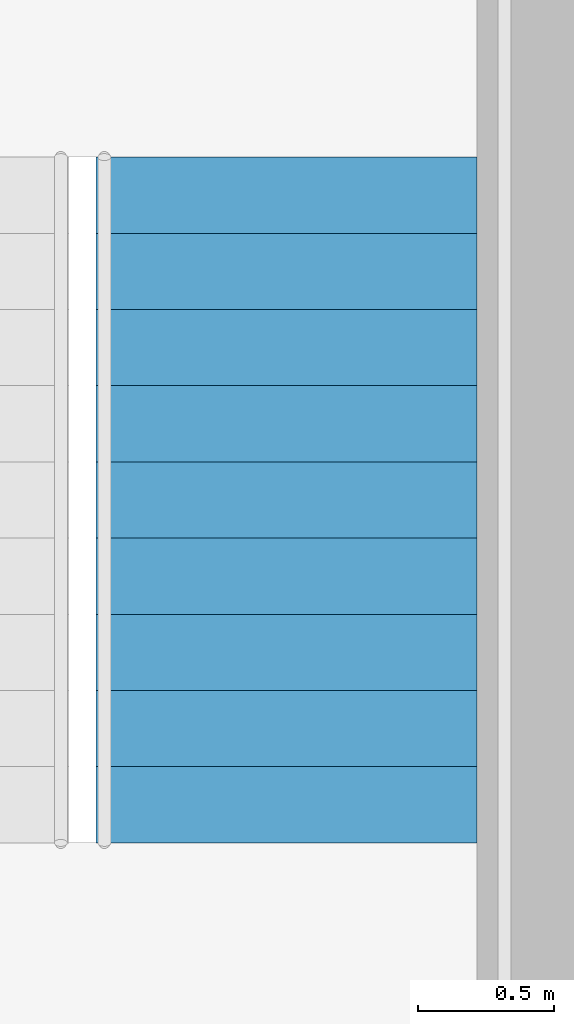
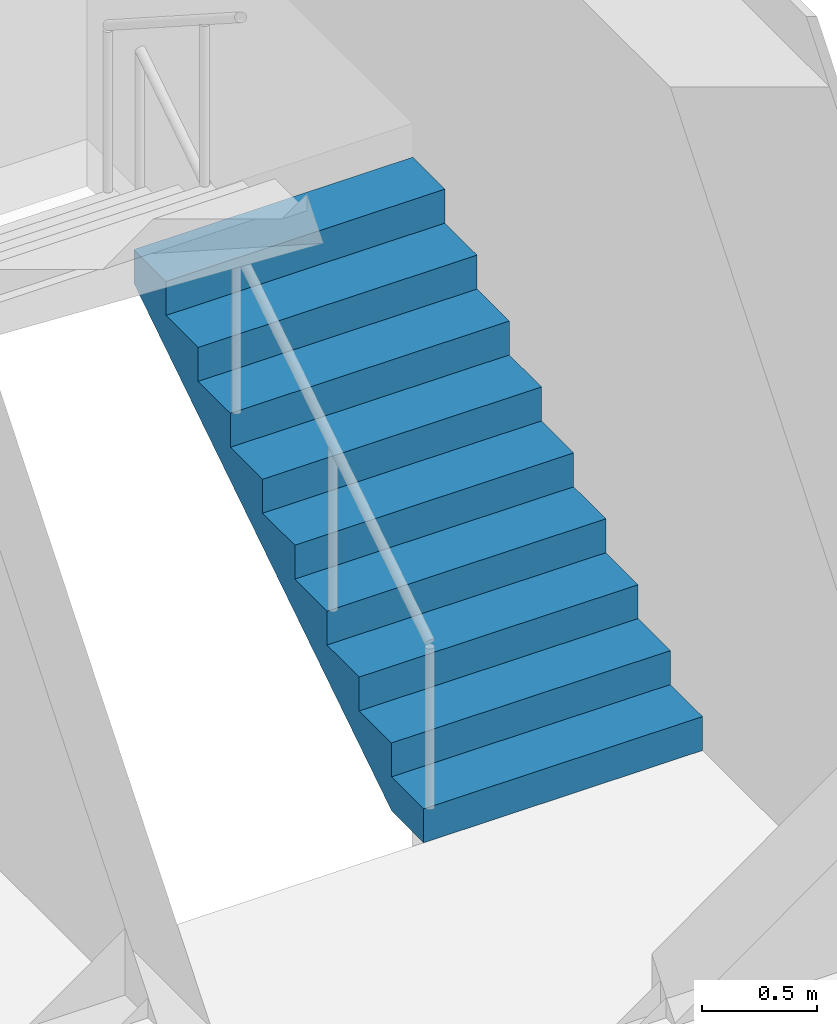
# One storey, part 39 of 40: 1 stair flight, 1 element without a shape of its own.
"""IFC4 building model written with IfcOpenShell, lengths in metres."""

from ifc_helpers import new_model, si_unit, direction, frame, origin, place, context, subcontext, project, spatial, polyline, outline, extrude, material, type_object, element, aggregate, save


model = new_model("IFC4")

# Units and contexts
model_context = context("Model", 3, precision=1e-05, world=origin(), true_north=direction((0.0, 1.0)))
body_context = subcontext(model_context, "Body", "Model", "MODEL_VIEW")
ifc_project = project(units=[si_unit("LENGTHUNIT", "METRE"), si_unit("AREAUNIT", "SQUARE_METRE"), si_unit("VOLUMEUNIT", "CUBIC_METRE"), si_unit("PLANEANGLEUNIT", "RADIAN"), si_unit("MASSUNIT", "GRAM", prefix="KILO")], contexts=[model_context])

# Site, building, storey
site_placement = place(None, origin())
site = spatial("IfcSite", under=ifc_project, at=site_placement, CompositionType="ELEMENT")
building_placement = place(site_placement, origin())
building = spatial("IfcBuilding", under=site, at=building_placement, Name="Altepetl Exchange Towers", CompositionType="ELEMENT")
storey_placement = place(building_placement, frame((0.0, 0.0, 154.60009765625)))
storey = spatial("IfcBuildingStorey", under=building, at=storey_placement, Name="L38", CompositionType="ELEMENT", Elevation=154.60009765625)

# Stair, stair flight
ifc_material = material(Name="Concrete C40/50", Category="concrete")
stair_type = type_object("IfcStairType", Name="Exit stair 1400 flights dogleg", PredefinedType="HALF_TURN_STAIR", material=ifc_material)
stair_placement = place(storey_placement, origin())
stair = element("IfcStair", 1, at=stair_placement, inside=storey, type_object=stair_type, Name="Exit stair 2", PredefinedType="HALF_TURN_STAIR")
stair_flight_type = type_object("IfcStairFlightType", Name="Stair flight 1400 wide", PredefinedType="STRAIGHT", material=ifc_material)
stair_flight_placement = place(storey_placement, frame((115.699951171875, 43.550048828125, 0.0), z_axis=(0.0, 0.0, 1.0), x_axis=(0.0, 1.0, 0.0)))
stair_flight = element("IfcStairFlight", 2, at=stair_flight_placement, type_object=stair_flight_type, Name="ST-B2e flight 1", NumberOfRisers=10, NumberOfTreads=9, PredefinedType="STRAIGHT", RiserHeight=0.18, TreadLength=0.28, context=body_context, shape_type="SweptSolid", body=[
    extrude(outline(polyline([(0.0, 0.0), (0.0, 0.179931640625), (0.280029296875, 0.179931640625), (0.280029296875, 0.360107421875), (0.56005859375, 0.360107421875), (0.56005859375, 0.5400390625), (0.840087890625, 0.5400390625), (0.840087890625, 0.719970703125), (1.1201171875, 0.719970703125), (1.1201171875, 0.89990234375), (1.39990234375, 0.89990234375), (1.39990234375, 1.080078125), (1.679931640625, 1.080078125), (1.679931640625, 1.260009765625), (1.9599609375, 1.260009765625), (1.9599609375, 1.43994140625), (2.239990234375, 1.43994140625), (2.239990234375, 1.6201171875), (2.52001953125, 1.6201171875), (2.52001953125, 1.800048828125), (2.52001953125, 1.44189453125), (0.277099609375, 0.0), (0.0, 0.0)])), frame((0.0, 0.699951171875, 0.0), z_axis=(0.0, -1.0, 0.0), x_axis=(1.0, 0.0, 0.0)), (0.0, 0.0, 1.0), 1.39990234375),
])
aggregate(stair, [stair_flight])

save(model, "model.ifc")
